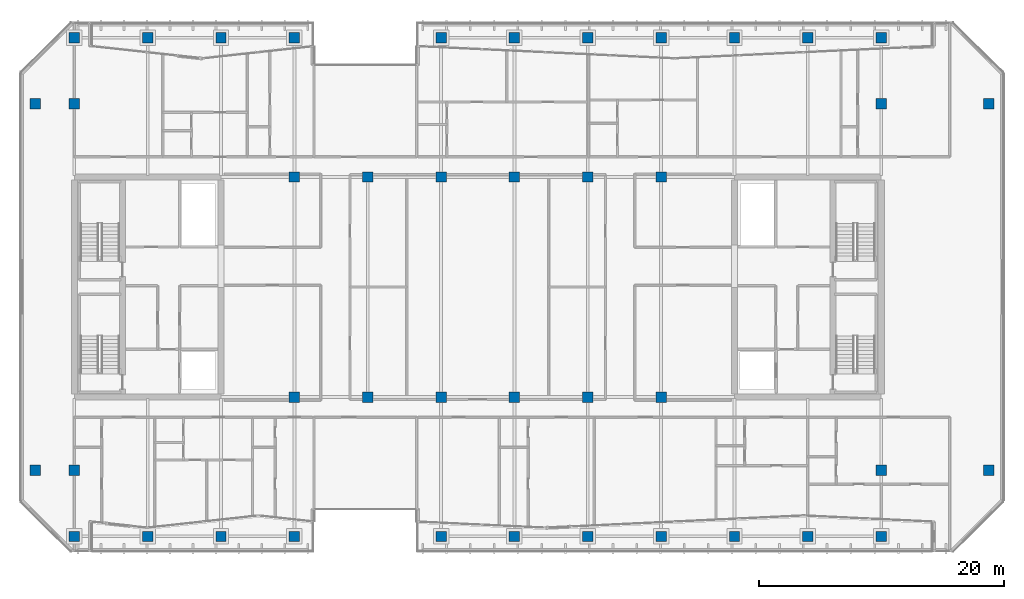
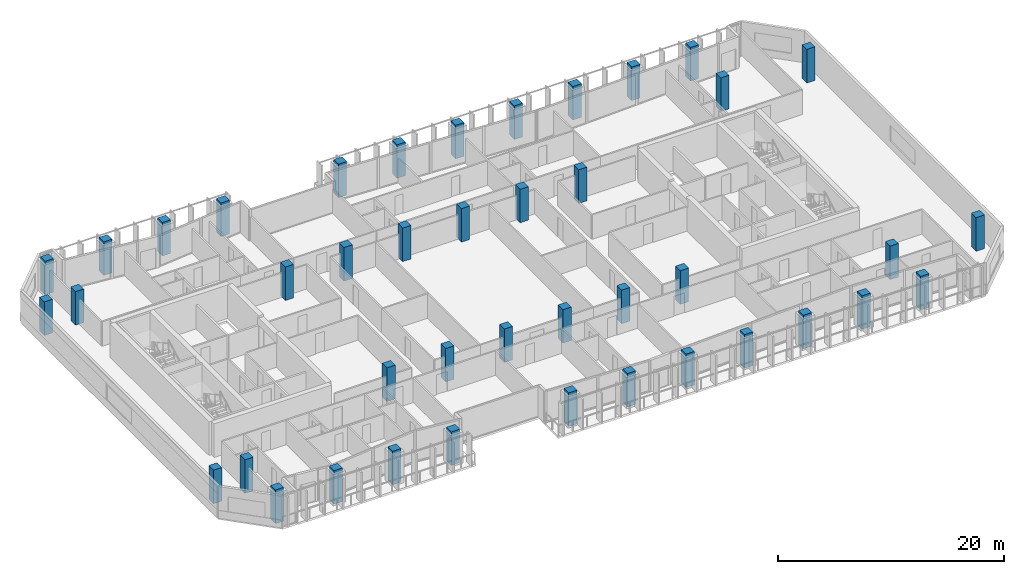
# One storey, part 1 of 28: 42 columns.
"""IFC4 building model written with IfcOpenShell, lengths in metres."""

from ifc_helpers import new_model, si_unit, direction, frame, origin, origin_2d, place, context, subcontext, project, spatial, rectangle, extrude, material, material_profile, profile_set, type_object, element, save


model = new_model("IFC4")

# Units and contexts
model_context = context("Model", 3, precision=1e-05, world=origin(), true_north=direction((0.0, 1.0)))
body_context = subcontext(model_context, "Body", "Model", "MODEL_VIEW")
ifc_project = project(units=[si_unit("LENGTHUNIT", "METRE"), si_unit("AREAUNIT", "SQUARE_METRE"), si_unit("VOLUMEUNIT", "CUBIC_METRE"), si_unit("PLANEANGLEUNIT", "RADIAN"), si_unit("MASSUNIT", "GRAM", prefix="KILO")], contexts=[model_context])

# Site, building, storey
site_placement = place(None, origin())
site = spatial("IfcSite", under=ifc_project, at=site_placement, CompositionType="ELEMENT")
building_placement = place(site_placement, origin())
building = spatial("IfcBuilding", under=site, at=building_placement, Name="Tanjung Sevakor Pilgrim Tower", CompositionType="ELEMENT")
storey_placement = place(building_placement, frame((0.0, 0.0, 158.39990234375)))
storey = spatial("IfcBuildingStorey", under=building, at=storey_placement, Name="L44", CompositionType="ELEMENT", Elevation=158.39990234375)

# Columns
ifc_material = material(Name="Concrete C60/75", Category="concrete")
ifc_material_profile = material_profile(ifc_material, rectangle(XDim=0.85009765625, YDim=0.85009765625, at=origin_2d()))
ifc_profile_set = profile_set([ifc_material_profile], Name="Concrete C60/75")
column_type = type_object("IfcColumnType", Name="COL-C-T850-RC_850x850", PredefinedType="COLUMN", material=ifc_profile_set)
for number, where, z_axis, x_axis, name in (
    (1, (42.0, 24.60009765625, 0.0), (0.0, 0.0, 1.0), (1.0, 0.0, 0.0), "L44 Column SPW-042-246"),
    (2, (42.0, 42.60009765625, 0.0), (0.0, 0.0, 1.0), (1.0, 0.0, 0.0), "L44 Column SPW-042-426"),
    (3, (48.0, 24.60009765625, 0.0), (0.0, 0.0, 1.0), (1.0, 0.0, 0.0), "L44 Column SPW-048-246"),
    (4, (48.0, 42.60009765625, 0.0), (0.0, 0.0, 1.0), (1.0, 0.0, 0.0), "L44 Column SPW-048-426"),
    (5, (54.0, 24.60009765625, 0.0), (0.0, 0.0, 1.0), (1.0, 0.0, 0.0), "L44 Column SPE-054-246"),
    (6, (54.0, 42.60009765625, 0.0), (0.0, 0.0, 1.0), (1.0, 0.0, 0.0), "L44 Column SPE-054-426"),
    (7, (60.0, 24.60009765625, 0.0), (0.0, 0.0, 1.0), (1.0, 0.0, 0.0), "L44 Column SPE-060-246"),
    (8, (60.0, 42.60009765625, 0.0), (0.0, 0.0, 1.0), (1.0, 0.0, 0.0), "L44 Column SPE-060-426"),
    (9, (66.0, 24.60009765625, 0.0), (0.0, 0.0, 1.0), (1.0, 0.0, 0.0), "L44 Column SPE-066-246"),
    (10, (66.0, 42.60009765625, 0.0), (0.0, 0.0, 1.0), (1.0, 0.0, 0.0), "L44 Column SPE-066-426"),
    (11, (72.0, 24.60009765625, 0.0), (0.0, 0.0, 1.0), (1.0, 0.0, 0.0), "L44 Column SPE-072-246"),
    (12, (72.0, 42.60009765625, 0.0), (0.0, 0.0, 1.0), (1.0, 0.0, 0.0), "L44 Column SPE-072-426"),
    (13, (20.800048828125, 18.60009765625, 0.0), (0.0, 0.0, 1.0), (1.0, 0.0, 0.0), "L44 Column TCE-0208-186"),
    (14, (20.800048828125, 48.60009765625, 0.0), (0.0, 0.0, 1.0), (1.0, 0.0, 0.0), "L44 Column TCE-0208-486"),
    (15, (24.0, 18.60009765625, 0.0), (0.0, 0.0, 1.0), (1.0, 0.0, 0.0), "L44 Column TCE-0240-186"),
    (16, (24.0, 48.60009765625, 0.0), (0.0, 0.0, 1.0), (1.0, 0.0, 0.0), "L44 Column TCE-0240-486"),
    (17, (90.0, 18.60009765625, 0.0), (0.0, 0.0, 1.0), (1.0, 0.0, 0.0), "L44 Column TCE-0900-186"),
    (18, (90.0, 48.60009765625, 0.0), (0.0, 0.0, 1.0), (1.0, 0.0, 0.0), "L44 Column TCE-0900-486"),
    (19, (98.800048828125, 18.60009765625, 0.0), (0.0, 0.0, 1.0), (1.0, 0.0, 0.0), "L44 Column TCE-0988-186"),
    (20, (98.800048828125, 48.60009765625, 0.0), (0.0, 0.0, 1.0), (1.0, 0.0, 0.0), "L44 Column TCE-0988-486"),
    (21, (24.0, 13.199951171875, 0.0), (0.0, 0.0, 1.0), (1.0, 0.0, 0.0), "L44 Column TC3-024-132"),
    (22, (24.0, 54.0, 0.0), (0.0, 0.0, 1.0), (1.0, 0.0, 0.0), "L44 Column TC3-024-540"),
    (23, (30.0, 13.199951171875, 0.0), (0.0, 0.0, 1.0), (1.0, 0.0, 0.0), "L44 Column TC3-030-132"),
    (24, (30.0, 54.0, 0.0), (0.0, 0.0, 1.0), (1.0, 0.0, 0.0), "L44 Column TC3-030-540"),
    (25, (36.0, 13.199951171875, 0.0), (0.0, 0.0, 1.0), (1.0, 0.0, 0.0), "L44 Column TC3-036-132"),
    (26, (36.0, 54.0, 0.0), (0.0, 0.0, 1.0), (1.0, 0.0, 0.0), "L44 Column TC3-036-540"),
    (27, (42.0, 13.199951171875, 0.0), (0.0, 0.0, 1.0), (1.0, 0.0, 0.0), "L44 Column TC3-042-132"),
    (28, (42.0, 54.0, 0.0), (0.0, 0.0, 1.0), (1.0, 0.0, 0.0), "L44 Column TC3-042-540"),
    (29, (54.0, 13.199951171875, 0.0), (0.0, 0.0, 1.0), (1.0, 0.0, 0.0), "L44 Column TC3-054-132"),
    (30, (54.0, 54.0, 0.0), (0.0, 0.0, 1.0), (1.0, 0.0, 0.0), "L44 Column TC3-054-540"),
    (31, (60.0, 13.199951171875, 0.0), (0.0, 0.0, 1.0), (1.0, 0.0, 0.0), "L44 Column TC3-060-132"),
    (32, (60.0, 54.0, 0.0), (0.0, 0.0, 1.0), (1.0, 0.0, 0.0), "L44 Column TC3-060-540"),
    (33, (66.0, 13.199951171875, 0.0), (0.0, 0.0, 1.0), (1.0, 0.0, 0.0), "L44 Column TC3-066-132"),
    (34, (66.0, 54.0, 0.0), (0.0, 0.0, 1.0), (1.0, 0.0, 0.0), "L44 Column TC3-066-540"),
    (35, (72.0, 13.199951171875, 0.0), (0.0, 0.0, 1.0), (1.0, 0.0, 0.0), "L44 Column TC3-072-132"),
    (36, (72.0, 54.0, 0.0), (0.0, 0.0, 1.0), (1.0, 0.0, 0.0), "L44 Column TC3-072-540"),
    (37, (78.0, 13.199951171875, 0.0), (0.0, 0.0, 1.0), (1.0, 0.0, 0.0), "L44 Column TC3-078-132"),
    (38, (78.0, 54.0, 0.0), (0.0, 0.0, 1.0), (1.0, 0.0, 0.0), "L44 Column TC3-078-540"),
    (39, (84.0, 13.199951171875, 0.0), (0.0, 0.0, 1.0), (1.0, 0.0, 0.0), "L44 Column TC3-084-132"),
    (40, (84.0, 54.0, 0.0), (0.0, 0.0, 1.0), (1.0, 0.0, 0.0), "L44 Column TC3-084-540"),
    (41, (90.0, 13.199951171875, 0.0), (0.0, 0.0, 1.0), (1.0, 0.0, 0.0), "L44 Column TC3-090-132"),
    (42, (90.0, 54.0, 0.0), (0.0, 0.0, 1.0), (1.0, 0.0, 0.0), "L44 Column TC3-090-540"),
):
    element("IfcColumn", number, at=place(storey_placement, frame(where, z_axis=z_axis, x_axis=x_axis)), inside=storey, type_object=column_type, Name=name, PredefinedType="COLUMN", context=body_context, shape_type="SweptSolid", body=[
        extrude(rectangle(XDim=0.85009765625, YDim=0.85009765625, at=origin_2d()), origin(), (0.0, 0.0, 1.0), 3.630126953125),
    ])

save(model, "model.ifc")
